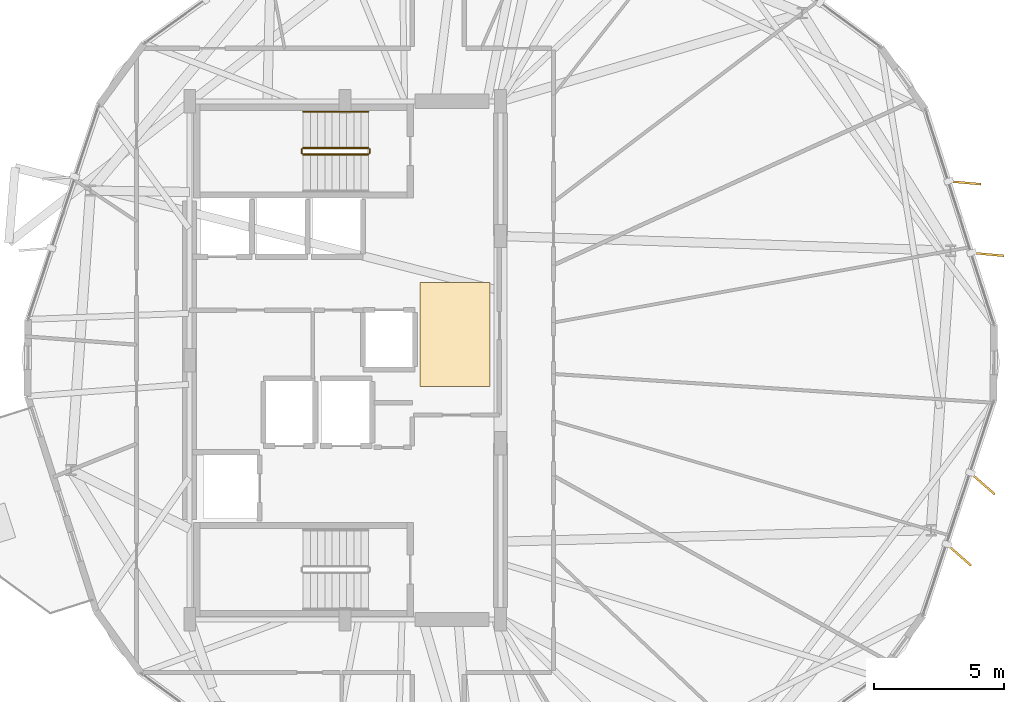
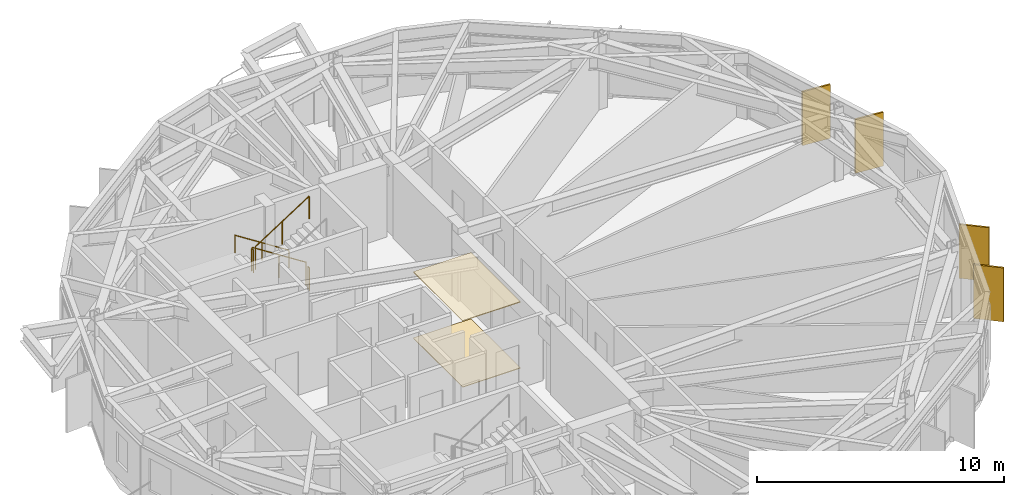
# One storey, part 23 of 24: 5 railings, 4 shading devices, 2 coverings.
"""IFC4 building model written with IfcOpenShell, lengths in metres."""

from ifc_helpers import new_model, si_unit, direction, frame, origin, origin_2d, place, context, subcontext, project, spatial, polyline, rectangle, circle, outline, extrude, material, layer, layer_set, type_object, element, save


model = new_model("IFC4")

# Units and contexts
model_context = context("Model", 3, precision=1e-05, world=origin(), true_north=direction((0.0, 1.0)))
body_context = subcontext(model_context, "Body", "Model", "MODEL_VIEW")
ifc_project = project(units=[si_unit("LENGTHUNIT", "METRE"), si_unit("AREAUNIT", "SQUARE_METRE"), si_unit("VOLUMEUNIT", "CUBIC_METRE"), si_unit("PLANEANGLEUNIT", "RADIAN"), si_unit("MASSUNIT", "GRAM", prefix="KILO")], contexts=[model_context])

# Site, building, storey
site_placement = place(None, origin())
site = spatial("IfcSite", under=ifc_project, at=site_placement, CompositionType="ELEMENT")
building_placement = place(site_placement, origin())
building = spatial("IfcBuilding", under=site, at=building_placement, Name="Soratama Intermodal Tower", CompositionType="ELEMENT")
storey_placement = place(building_placement, frame((0.0, 0.0, 164.199951171875)))
storey = spatial("IfcBuildingStorey", under=building, at=storey_placement, Name="L40", CompositionType="ELEMENT", Elevation=164.199951171875)

# Coverings
ifc_material_1 = material(Name="Perforated mineral acoustic ceiling", Category="concrete")
ifc_layer_1 = layer(ifc_material_1, 0.0400390625)
ifc_layer_set_1 = layer_set([ifc_layer_1], Name="Perforated mineral acoustic ceiling")
covering_type_1 = type_object("IfcCoveringType", Name="CV-CEIL-ACOUSTIC", PredefinedType="CEILING", material=ifc_layer_set_1)
covering_1_placement = place(storey_placement, frame((0.0, 0.0, 3.260009765625)))
element("IfcCovering", 1, at=covering_1_placement, inside=storey, type_object=covering_type_1, Name="L40 Acoustic Ceiling", PredefinedType="CEILING", context=body_context, shape_type="SweptSolid", body=[
    extrude(outline(polyline([(41.5, 24.0), (44.199951171875, 24.0), (44.199951171875, 28.0), (41.5, 28.0), (41.5, 24.0)])), origin(), (0.0, 0.0, 1.0), 0.0400390625),
])
ifc_material_2 = material(Name="Polished Andean stone terrazzo flooring", Category="masonry")
ifc_layer_2 = layer(ifc_material_2, 0.030029296875)
ifc_layer_set_2 = layer_set([ifc_layer_2], Name="Polished Andean stone terrazzo flooring")
covering_type_2 = type_object("IfcCoveringType", Name="CV-FLOR-TERRAZZO", PredefinedType="FLOORING", material=ifc_layer_set_2)
covering_2_placement = place(storey_placement, origin())
element("IfcCovering", 2, at=covering_2_placement, inside=storey, type_object=covering_type_2, Name="L40 Lobby Terrazzo Flooring", PredefinedType="FLOORING", context=body_context, shape_type="SweptSolid", body=[
    extrude(outline(polyline([(41.5, 24.0), (44.199951171875, 24.0), (44.199951171875, 28.0), (41.5, 28.0), (41.5, 24.0)])), origin(), (0.0, 0.0, 1.0), 0.030029296875),
])

# Railings
ifc_material_3 = material(Name="Painted steel stair guardrail", Category="steel")
railing_type_1 = type_object("IfcRailingType", Name="RL-STAIR-GUARD", PredefinedType="GUARDRAIL", material=ifc_material_3)
railing_1_placement = place(storey_placement, frame((39.5, 33.199951171875, 0.179931640625)))
element("IfcRailing", 3, at=railing_1_placement, inside=storey, type_object=railing_type_1, Name="L40 ST-2 stair guard 1", PredefinedType="GUARDRAIL", context=body_context, shape_type="SweptSolid", body=[
    extrude(circle(Radius=0.02392578125, at=origin_2d()), frame((0.0, 0.0, 1.1259765625), z_axis=(-0.841162588446, 0.0, 0.540782303519), x_axis=(0.0, -1.0, 0.0)), (0.0, 0.0, 1.0), 2.995849609375),
    extrude(circle(Radius=0.02099609375, at=origin_2d()), origin(), (0.0, 0.0, 1.0), 1.101806640625),
    extrude(circle(Radius=0.02099609375, at=origin_2d()), frame((-1.260009765625, 0.0, 0.81005859375)), (0.0, 0.0, 1.0), 1.101806640625),
    extrude(circle(Radius=0.02099609375, at=origin_2d()), frame((-2.52001953125, 0.0, 1.6201171875)), (0.0, 0.0, 1.0), 1.101806640625),
])
railing_2_placement = place(storey_placement, frame((36.929931640625, 33.14990234375, 1.800048828125)))
element("IfcRailing", 4, at=railing_2_placement, inside=storey, type_object=railing_type_1, Name="L40 ST-2 stair guard 2", PredefinedType="GUARDRAIL", context=body_context, shape_type="SweptSolid", body=[
    extrude(circle(Radius=0.02392578125, at=origin_2d()), frame((0.0, 0.0, 1.1259765625), z_axis=(0.0, -1.0, 0.0), x_axis=(1.0, 0.0, 0.0)), (0.0, 0.0, 1.0), 0.14990234375),
    extrude(circle(Radius=0.02099609375, at=origin_2d()), origin(), (0.0, 0.0, 1.0), 1.101806640625),
    extrude(circle(Radius=0.02099609375, at=origin_2d()), frame((0.0, -0.14990234375, 0.0)), (0.0, 0.0, 1.0), 1.101806640625),
])
railing_3_placement = place(storey_placement, frame((36.97998046875, 32.949951171875, 1.97998046875)))
element("IfcRailing", 5, at=railing_3_placement, inside=storey, type_object=railing_type_1, Name="L40 ST-2 stair guard 3", PredefinedType="GUARDRAIL", context=body_context, shape_type="SweptSolid", body=[
    extrude(circle(Radius=0.02392578125, at=origin_2d()), frame((0.0, 0.0, 1.1259765625), z_axis=(0.841162588446, 0.0, 0.540782303519), x_axis=(0.0, 1.0, 0.0)), (0.0, 0.0, 1.0), 2.995849609375),
    extrude(circle(Radius=0.02099609375, at=origin_2d()), origin(), (0.0, 0.0, 1.0), 1.101806640625),
    extrude(circle(Radius=0.02099609375, at=origin_2d()), frame((1.260009765625, 0.0, 0.81005859375)), (0.0, 0.0, 1.0), 1.101806640625),
    extrude(circle(Radius=0.02099609375, at=origin_2d()), frame((2.52001953125, 0.0, 1.6201171875)), (0.0, 0.0, 1.0), 1.101806640625),
])
railing_4_placement = place(storey_placement, frame((39.550048828125, 33.14990234375, 0.0)))
element("IfcRailing", 6, at=railing_4_placement, inside=storey, type_object=railing_type_1, Name="L40 ST-2 stair guard 4", PredefinedType="GUARDRAIL", context=body_context, shape_type="SweptSolid", body=[
    extrude(circle(Radius=0.02392578125, at=origin_2d()), frame((0.0, 0.0, 1.1259765625), z_axis=(0.0, -1.0, 0.0), x_axis=(1.0, 0.0, 0.0)), (0.0, 0.0, 1.0), 0.14990234375),
    extrude(circle(Radius=0.02099609375, at=origin_2d()), origin(), (0.0, 0.0, 1.0), 1.101806640625),
    extrude(circle(Radius=0.02099609375, at=origin_2d()), frame((0.0, -0.14990234375, 0.0)), (0.0, 0.0, 1.0), 1.101806640625),
])
ifc_material_4 = material(Name="Brushed stainless steel handrail", Category="steel")
railing_type_2 = type_object("IfcRailingType", Name="RL-STAIR-HAND", PredefinedType="HANDRAIL", material=ifc_material_4)
railing_5_placement = place(storey_placement, frame((39.5, 34.60009765625, 0.179931640625)))
element("IfcRailing", 7, at=railing_5_placement, inside=storey, type_object=railing_type_2, Name="L40 ST-2 stair handrail 1", PredefinedType="HANDRAIL", context=body_context, shape_type="SweptSolid", body=[
    extrude(circle(Radius=0.02392578125, at=origin_2d()), frame((0.0, 0.0, 0.8759765625), z_axis=(-0.841162588446, 0.0, 0.540782303519), x_axis=(0.0, -1.0, 0.0)), (0.0, 0.0, 1.0), 2.995849609375),
    extrude(circle(Radius=0.02099609375, at=origin_2d()), origin(), (0.0, 0.0, 1.0), 0.851806640625),
    extrude(circle(Radius=0.02099609375, at=origin_2d()), frame((-1.260009765625, 0.0, 0.81005859375)), (0.0, 0.0, 1.0), 0.851806640625),
    extrude(circle(Radius=0.02099609375, at=origin_2d()), frame((-2.52001953125, 0.0, 1.6201171875)), (0.0, 0.0, 1.0), 0.851806640625),
])

# Shading devices
ifc_material_5 = material(Name="Champagne anodised aluminium solar fin", Category="aluminium")
ifc_layer_3 = layer(ifc_material_5, 0.080078125)
ifc_layer_set_3 = layer_set([ifc_layer_3], Name="Champagne anodised aluminium solar fin")
shading_device_type = type_object("IfcShadingDeviceType", Name="SH-FIN-1250", PredefinedType="USERDEFINED", material=ifc_layer_set_3)
for number, where, z_axis, x_axis, name in (
    (8, (62.302490234375, 17.486328125, 0.02001953125), (0.0, 0.0, 1.0), (0.753219088147, -0.657769720534, 0.0), "L40 Solar Fin F09-1"),
    (9, (63.21337890625, 20.240478515625, 0.02001953125), (0.0, 0.0, 1.0), (0.753219088147, -0.657769720534, 0.0), "L40 Solar Fin F09-2"),
    (10, (63.414306640625, 29.091552734375, 0.02001953125), (0.0, 0.0, 1.0), (0.995994383933, -0.089415810539, 0.0), "L40 Solar Fin F10-1"),
    (11, (62.532470703125, 31.85498046875, 0.02001953125), (0.0, 0.0, 1.0), (0.995994383933, -0.089415810539, 0.0), "L40 Solar Fin F10-2"),
):
    element("IfcShadingDevice", number, at=place(storey_placement, frame(where, z_axis=z_axis, x_axis=x_axis)), inside=storey, type_object=shading_device_type, Name=name, ObjectType="FIN", PredefinedType="USERDEFINED", context=body_context, shape_type="SweptSolid", body=[
        extrude(rectangle(XDim=1.25, YDim=0.080078125, at=origin_2d()), origin(), (0.0, 0.0, 1.0), 2.658935546875),
    ])

save(model, "model.ifc")
